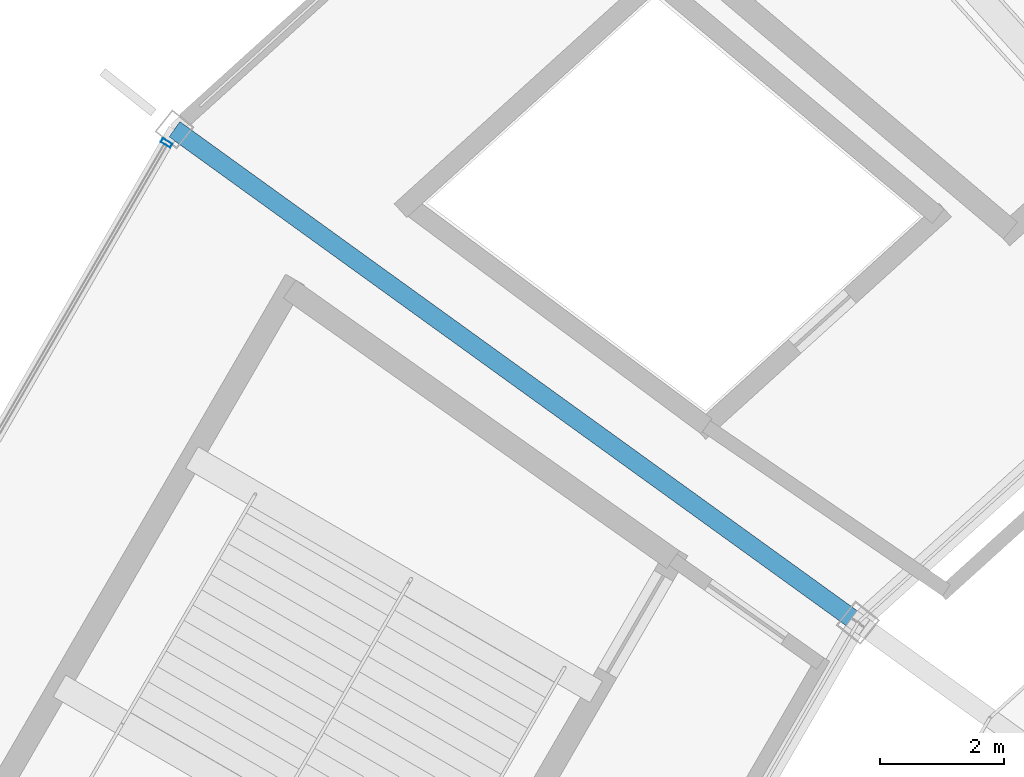
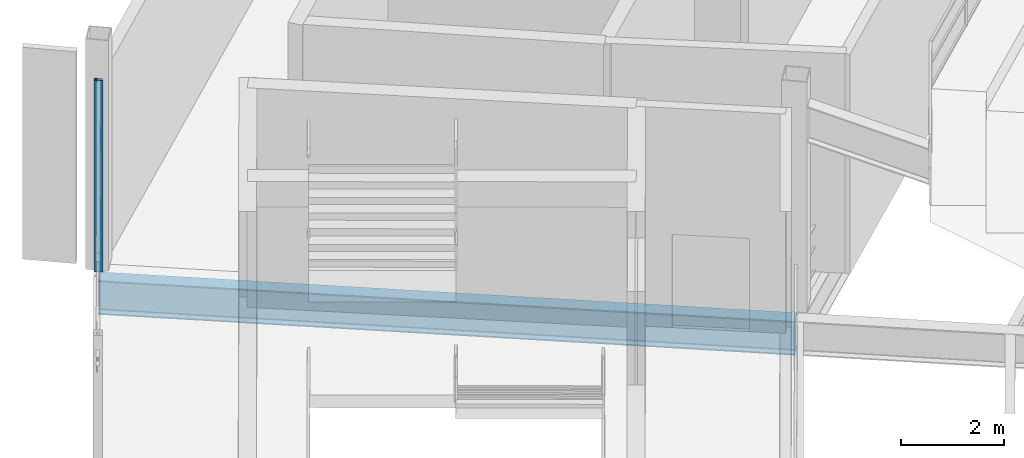
# One storey, part 85 of 186: 1 beam, 1 member, 1 element without a shape of its own.
"""IFC4 building model written with IfcOpenShell, lengths in metres."""

from ifc_helpers import new_model, si_unit, direction, frame, origin, origin_2d, place, context, subcontext, project, spatial, hollow_rectangle, i_section, extrude, material, layer, layer_set, material_profile, profile_set, type_object, element, aggregate, save


model = new_model("IFC4")

# Units and contexts
model_context = context("Model", 3, precision=1e-05, world=origin(), true_north=direction((0.0, 1.0)))
body_context = subcontext(model_context, "Body", "Model", "MODEL_VIEW")
ifc_project = project(units=[si_unit("LENGTHUNIT", "METRE"), si_unit("AREAUNIT", "SQUARE_METRE"), si_unit("VOLUMEUNIT", "CUBIC_METRE"), si_unit("PLANEANGLEUNIT", "RADIAN"), si_unit("MASSUNIT", "GRAM", prefix="KILO")], contexts=[model_context])

# Site, building, storey
site_placement = place(None, origin())
site = spatial("IfcSite", under=ifc_project, at=site_placement, CompositionType="ELEMENT")
building_placement = place(site_placement, origin())
building = spatial("IfcBuilding", under=site, at=building_placement, Name="Kazemori Nagisa Stadium", CompositionType="ELEMENT")
storey_placement = place(building_placement, frame((0.0, 0.0, 20.39990234375)))
storey = spatial("IfcBuildingStorey", under=building, at=storey_placement, Name="L04", CompositionType="ELEMENT", Elevation=20.39990234375)

# Beam
ifc_material_1 = material(Name="Steel SN490B", Category="steel")
ifc_material_profile_1 = material_profile(ifc_material_1, i_section(OverallWidth=0.300048828125, OverallDepth=0.800048828125, WebThickness=0.013916015625, FlangeThickness=0.02587890625, FilletRadius=0.01806640625, at=origin_2d()), Name="H-800x300x14x26")
ifc_profile_set_1 = profile_set([ifc_material_profile_1], Name="Steel SN490B")
beam_type = type_object("IfcBeamType", Name="Beam_BG-H800", PredefinedType="BEAM", material=ifc_profile_set_1)
beam_placement = place(storey_placement, frame((55.493896484375, 150.734130859375, -0.699951171875), z_axis=(-0.810787509935, 0.585340596349, 0.0), x_axis=(-0.585340596349, -0.810787509935, 0.0)))
element("IfcBeam", 1, at=beam_placement, inside=storey, type_object=beam_type, Name="Radial girder BG-H800 L04 R2-R3-12", PredefinedType="BEAM", context=body_context, shape_type="SweptSolid", body=[
    extrude(i_section(OverallWidth=0.300048828125, OverallDepth=0.800048828125, WebThickness=0.013916015625, FlangeThickness=0.02587890625, FilletRadius=0.01806640625, at=origin_2d()), origin(), (0.0, 0.0, 1.0), 13.5537109375),
])

# Curtain wall, member
ifc_material_2 = material(Name="Anodised aluminium 6063-T5", Category="aluminium")
ifc_layer = layer(ifc_material_2, 0.179931640625, Name="Anodised aluminium 6063-T5", Category="aluminium")
ifc_layer_set = layer_set([ifc_layer], Name="Anodised aluminium 6063-T5")
curtain_wall_type = type_object("IfcCurtainWallType", Name="CW_L04R3_101", PredefinedType="USERDEFINED", material=ifc_layer_set)
curtain_wall_placement = place(storey_placement, origin())
curtain_wall = element("IfcCurtainWall", 2, at=curtain_wall_placement, inside=storey, type_object=curtain_wall_type, Name="Unitised curtain wall CW-L04R3-101 L04", ObjectType="UNITISED CURTAIN WALL", PredefinedType="USERDEFINED")
ifc_material_3 = material(Name="Aluminium 6063-T5 anodised", Category="aluminium")
ifc_material_profile_2 = material_profile(ifc_material_3, hollow_rectangle(XDim=0.070068359375, YDim=0.179931640625, WallThickness=0.00390625, at=origin_2d()), Name="ALU-MULL-70x180x4")
ifc_profile_set_2 = profile_set([ifc_material_profile_2], Name="Aluminium 6063-T5 anodised")
member_type = type_object("IfcMemberType", Name="Mullion_M01", PredefinedType="MULLION", material=ifc_profile_set_2)
member_placement = place(storey_placement, frame((44.376708984375, 158.447021484375, 0.0), z_axis=(0.0, 0.0, 1.0), x_axis=(-0.501611590054, -0.865092950337, 0.0)))
member = element("IfcMember", 3, at=member_placement, type_object=member_type, Name="Curtain wall mullion CW-L04R3-101-M1", PredefinedType="MULLION", context=body_context, shape_type="SweptSolid", body=[
    extrude(hollow_rectangle(XDim=0.070068359375, YDim=0.179931640625, WallThickness=0.00390625, at=origin_2d()), origin(), (0.0, 0.0, 1.0), 4.530029296875),
])
aggregate(curtain_wall, [member])

save(model, "model.ifc")
